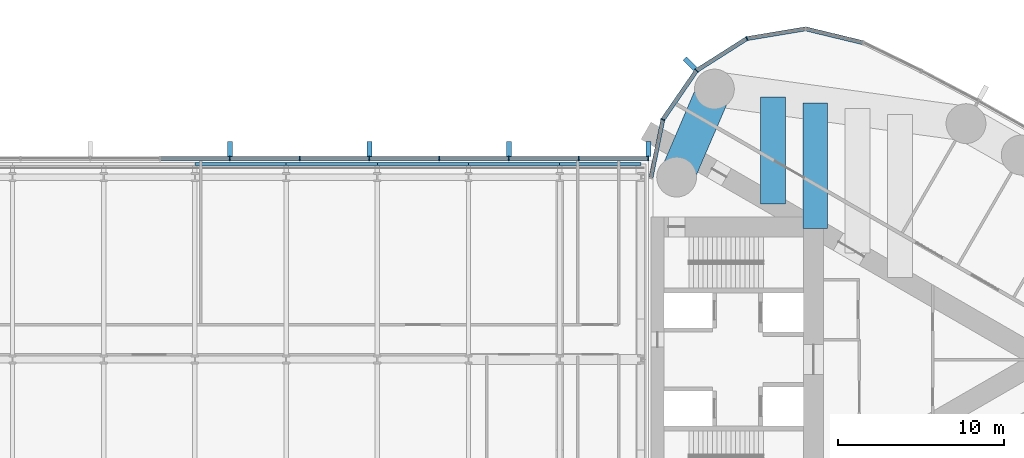
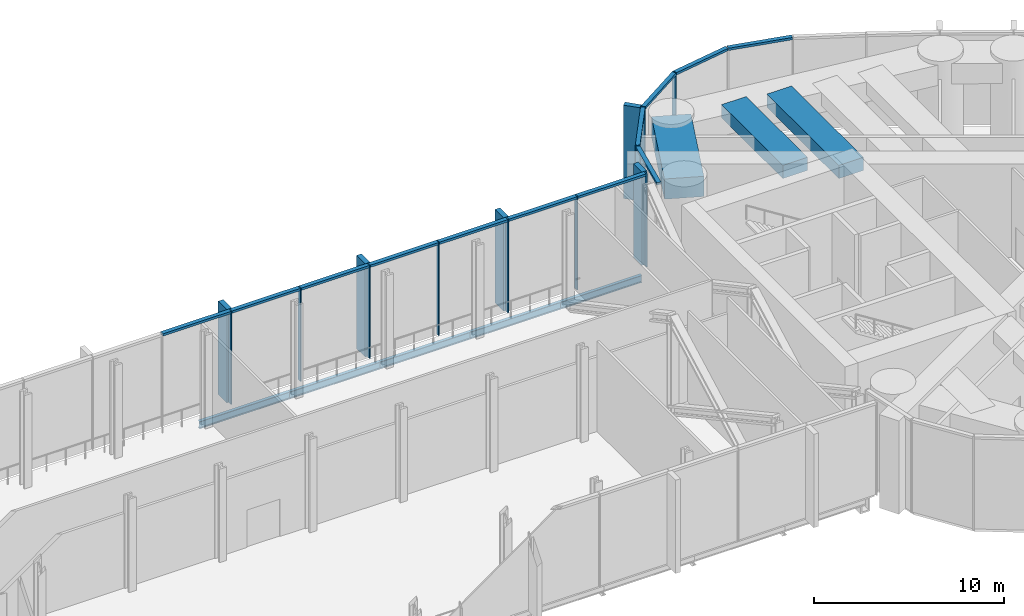
# One storey, part 11 of 21: 27 members, 8 beams, 2 elements without a shape of their own.
"""IFC4 building model written with IfcOpenShell, lengths in metres."""

from ifc_helpers import new_model, si_unit, direction, frame, origin, origin_2d, place, context, subcontext, project, spatial, rectangle, i_section, extrude, material, material_profile, profile_set, type_object, element, aggregate, save


model = new_model("IFC4")

# Units and contexts
model_context = context("Model", 3, precision=1e-05, world=origin(), true_north=direction((0.0, 1.0)))
body_context = subcontext(model_context, "Body", "Model", "MODEL_VIEW")
ifc_project = project(units=[si_unit("LENGTHUNIT", "METRE"), si_unit("AREAUNIT", "SQUARE_METRE"), si_unit("VOLUMEUNIT", "CUBIC_METRE"), si_unit("PLANEANGLEUNIT", "RADIAN"), si_unit("MASSUNIT", "GRAM", prefix="KILO")], contexts=[model_context])

# Site, building, storey
site_placement = place(None, origin())
site = spatial("IfcSite", under=ifc_project, at=site_placement, CompositionType="ELEMENT")
building_placement = place(site_placement, origin())
building = spatial("IfcBuilding", under=site, at=building_placement, Name="Lancet Gate Hotel", CompositionType="ELEMENT")
storey_placement = place(building_placement, frame((0.0, 0.0, 257.300048828125)))
storey = spatial("IfcBuildingStorey", under=building, at=storey_placement, Name="L68", CompositionType="ELEMENT", Elevation=257.300048828125)

# Curtain wall, members
ifc_material_1 = material(Name="Aluminium curtain wall", Category="aluminium")
curtain_wall_type = type_object("IfcCurtainWallType", Name="Sky deck full-height glazing", PredefinedType="USERDEFINED", material=ifc_material_1)
curtain_wall_1_placement = place(storey_placement, origin())
curtain_wall_1 = element("IfcCurtainWall", 1, at=curtain_wall_1_placement, inside=storey, type_object=curtain_wall_type, Name="T2 L68 curtain wall 1", ObjectType="UNITISED CURTAIN WALL", PredefinedType="USERDEFINED")
ifc_material_2 = material(Name="Aluminium mullion", Category="aluminium")
ifc_material_profile_1 = material_profile(ifc_material_2, rectangle(XDim=0.06494140625, YDim=0.25, at=origin_2d()), Name="MULLION 65x250")
ifc_profile_set_1 = profile_set([ifc_material_profile_1], Name="Aluminium mullion")
member_type_1 = type_object("IfcMemberType", Name="Aluminium mullion 65x250", PredefinedType="MULLION", material=ifc_profile_set_1)
member_1_placement = place(storey_placement, frame((33.283203125, 19.353515625, 0.0), z_axis=(0.0, 0.0, 1.0), x_axis=(-0.93394321776, -0.357421412343, 0.0)))
member_1 = element("IfcMember", 2, at=member_1_placement, type_object=member_type_1, Name="T2 L68 curtain wall 1 mullion 24", PredefinedType="MULLION", context=body_context, shape_type="SweptSolid", body=[
    extrude(rectangle(XDim=0.06494140625, YDim=0.25, at=origin_2d()), origin(), (0.0, 0.0, 1.0), 6.0),
])
member_2_placement = place(storey_placement, frame((30.25244140625, 17.42626953125, 0.0), z_axis=(0.0, 0.0, 1.0), x_axis=(-0.719809077627, -0.694172090886, 0.0)))
member_2 = element("IfcMember", 3, at=member_2_placement, type_object=member_type_1, Name="T2 L68 curtain wall 1 mullion 25", PredefinedType="MULLION", context=body_context, shape_type="SweptSolid", body=[
    extrude(rectangle(XDim=0.06494140625, YDim=0.25, at=origin_2d()), origin(), (0.0, 0.0, 1.0), 6.0),
])
member_3_placement = place(storey_placement, frame((28.216552734375, 14.467529296875, 0.0), z_axis=(0.0, 0.0, 1.0), x_axis=(-0.391042139098, -0.920372775265, 0.0)))
member_3 = element("IfcMember", 4, at=member_3_placement, type_object=member_type_1, Name="T2 L68 curtain wall 1 mullion 26", PredefinedType="MULLION", context=body_context, shape_type="SweptSolid", body=[
    extrude(rectangle(XDim=0.06494140625, YDim=0.25, at=origin_2d()), origin(), (0.0, 0.0, 1.0), 6.0),
])

curtain_wall_2_placement = place(storey_placement, origin())
curtain_wall_2 = element("IfcCurtainWall", 5, at=curtain_wall_2_placement, inside=storey, type_object=curtain_wall_type, Name="Bridge block L68 curtain wall N", ObjectType="UNITISED CURTAIN WALL", PredefinedType="USERDEFINED")
member_4_placement = place(storey_placement, frame((27.35009765625, 12.1201171875, 0.0), z_axis=(0.0, 0.0, 1.0), x_axis=(-1.0, 0.0, 0.0)))
member_4 = element("IfcMember", 6, at=member_4_placement, type_object=member_type_1, Name="Bridge block L68 curtain wall N mullion 1", PredefinedType="MULLION", context=body_context, shape_type="SweptSolid", body=[
    extrude(rectangle(XDim=0.06494140625, YDim=0.25, at=origin_2d()), origin(), (0.0, 0.0, 1.0), 6.0),
])
member_5_placement = place(storey_placement, frame((23.142333984375, 12.1201171875, 0.0), z_axis=(0.0, 0.0, 1.0), x_axis=(-1.0, 0.0, 0.0)))
member_5 = element("IfcMember", 7, at=member_5_placement, type_object=member_type_1, Name="Bridge block L68 curtain wall N mullion 2", PredefinedType="MULLION", context=body_context, shape_type="SweptSolid", body=[
    extrude(rectangle(XDim=0.06494140625, YDim=0.25, at=origin_2d()), origin(), (0.0, 0.0, 1.0), 6.0),
])
member_6_placement = place(storey_placement, frame((18.9345703125, 12.1201171875, 0.0), z_axis=(0.0, 0.0, 1.0), x_axis=(-1.0, 0.0, 0.0)))
member_6 = element("IfcMember", 8, at=member_6_placement, type_object=member_type_1, Name="Bridge block L68 curtain wall N mullion 3", PredefinedType="MULLION", context=body_context, shape_type="SweptSolid", body=[
    extrude(rectangle(XDim=0.06494140625, YDim=0.25, at=origin_2d()), origin(), (0.0, 0.0, 1.0), 6.0),
])
member_7_placement = place(storey_placement, frame((14.726806640625, 12.1201171875, 0.0), z_axis=(0.0, 0.0, 1.0), x_axis=(-1.0, 0.0, 0.0)))
member_7 = element("IfcMember", 9, at=member_7_placement, type_object=member_type_1, Name="Bridge block L68 curtain wall N mullion 4", PredefinedType="MULLION", context=body_context, shape_type="SweptSolid", body=[
    extrude(rectangle(XDim=0.06494140625, YDim=0.25, at=origin_2d()), origin(), (0.0, 0.0, 1.0), 6.0),
])
member_8_placement = place(storey_placement, frame((10.519287109375, 12.1201171875, 0.0), z_axis=(0.0, 0.0, 1.0), x_axis=(-1.0, 0.0, 0.0)))
member_8 = element("IfcMember", 10, at=member_8_placement, type_object=member_type_1, Name="Bridge block L68 curtain wall N mullion 5", PredefinedType="MULLION", context=body_context, shape_type="SweptSolid", body=[
    extrude(rectangle(XDim=0.06494140625, YDim=0.25, at=origin_2d()), origin(), (0.0, 0.0, 1.0), 6.0),
])
member_9_placement = place(storey_placement, frame((6.3115234375, 12.1201171875, 0.0), z_axis=(0.0, 0.0, 1.0), x_axis=(-1.0, 0.0, 0.0)))
member_9 = element("IfcMember", 11, at=member_9_placement, type_object=member_type_1, Name="Bridge block L68 curtain wall N mullion 6", PredefinedType="MULLION", context=body_context, shape_type="SweptSolid", body=[
    extrude(rectangle(XDim=0.06494140625, YDim=0.25, at=origin_2d()), origin(), (0.0, 0.0, 1.0), 6.0),
])
member_10_placement = place(storey_placement, frame((2.103759765625, 12.1201171875, 0.0), z_axis=(0.0, 0.0, 1.0), x_axis=(-1.0, 0.0, 0.0)))
member_10 = element("IfcMember", 12, at=member_10_placement, type_object=member_type_1, Name="Bridge block L68 curtain wall N mullion 7", PredefinedType="MULLION", context=body_context, shape_type="SweptSolid", body=[
    extrude(rectangle(XDim=0.06494140625, YDim=0.25, at=origin_2d()), origin(), (0.0, 0.0, 1.0), 6.0),
])

# Member
ifc_material_3 = material(Name="Aluminium transom", Category="aluminium")
ifc_material_profile_2 = material_profile(ifc_material_3, rectangle(XDim=0.25, YDim=0.14990234375, at=origin_2d()), Name="TRANSOM 250x150")
ifc_profile_set_2 = profile_set([ifc_material_profile_2], Name="Aluminium transom")
member_type_2 = type_object("IfcMemberType", Name="Aluminium transom 250x150", PredefinedType="USERDEFINED", material=ifc_profile_set_2)
member_11_placement = place(storey_placement, frame((40.28564453125, 19.10595703125, 5.925048828125), z_axis=(-0.972002653858, 0.234969872307, 0.0), x_axis=(-0.234969872307, -0.972002653858, 0.0)))
member_11 = element("IfcMember", 13, at=member_11_placement, type_object=member_type_2, Name="T2 L68 curtain wall 1 transom 22", ObjectType="TRANSOM", PredefinedType="USERDEFINED", context=body_context, shape_type="SweptSolid", body=[
    extrude(rectangle(XDim=0.25, YDim=0.14990234375, at=origin_2d()), origin(), (0.0, 0.0, 1.0), 3.5263671875),
])

member_12_placement = place(storey_placement, frame((36.794189453125, 19.936767578125, 5.925048828125), z_axis=(-0.986483584545, -0.163860115412, 0.0), x_axis=(0.163860115412, -0.986483584545, 0.0)))
member_12 = element("IfcMember", 14, at=member_12_placement, type_object=member_type_2, Name="T2 L68 curtain wall 1 transom 23", ObjectType="TRANSOM", PredefinedType="USERDEFINED", context=body_context, shape_type="SweptSolid", body=[
    extrude(rectangle(XDim=0.25, YDim=0.14990234375, at=origin_2d()), origin(), (0.0, 0.0, 1.0), 3.526611328125),
])

member_13_placement = place(storey_placement, frame((33.255859375, 19.336181640625, 5.925048828125), z_axis=(-0.84385811281, -0.536566384938, 0.0), x_axis=(0.536566384938, -0.84385811281, 0.0)))
member_13 = element("IfcMember", 15, at=member_13_placement, type_object=member_type_2, Name="T2 L68 curtain wall 1 transom 24", ObjectType="TRANSOM", PredefinedType="USERDEFINED", context=body_context, shape_type="SweptSolid", body=[
    extrude(rectangle(XDim=0.25, YDim=0.14990234375, at=origin_2d()), origin(), (0.0, 0.0, 1.0), 3.52685546875),
])

member_14_placement = place(storey_placement, frame((30.234130859375, 17.399658203125, 5.925048828125), z_axis=(-0.566813768052, -0.82384595183, 0.0), x_axis=(0.82384595183, -0.566813768052, 0.0)))
member_14 = element("IfcMember", 16, at=member_14_placement, type_object=member_type_2, Name="T2 L68 curtain wall 1 transom 25", ObjectType="TRANSOM", PredefinedType="USERDEFINED", context=body_context, shape_type="SweptSolid", body=[
    extrude(rectangle(XDim=0.25, YDim=0.14990234375, at=origin_2d()), origin(), (0.0, 0.0, 1.0), 3.52685546875),
])

member_15_placement = place(storey_placement, frame((28.210205078125, 14.435546875, 5.925048828125), z_axis=(-0.19952323725, -0.979893095086, 0.0), x_axis=(0.979893095086, -0.19952323725, 0.0)))
member_15 = element("IfcMember", 17, at=member_15_placement, type_object=member_type_2, Name="T2 L68 curtain wall 1 transom 26", ObjectType="TRANSOM", PredefinedType="USERDEFINED", context=body_context, shape_type="SweptSolid", body=[
    extrude(rectangle(XDim=0.25, YDim=0.14990234375, at=origin_2d()), origin(), (0.0, 0.0, 1.0), 3.5263671875),
])

member_16_placement = place(storey_placement, frame((27.3173828125, 12.1201171875, 5.925048828125), z_axis=(-1.0, 0.0, 0.0), x_axis=(0.0, -1.0, 0.0)))
member_16 = element("IfcMember", 18, at=member_16_placement, type_object=member_type_2, Name="Bridge block L68 curtain wall N transom 1", ObjectType="TRANSOM", PredefinedType="USERDEFINED", context=body_context, shape_type="SweptSolid", body=[
    extrude(rectangle(XDim=0.25, YDim=0.14990234375, at=origin_2d()), origin(), (0.0, 0.0, 1.0), 4.142578125),
])

member_17_placement = place(storey_placement, frame((23.10986328125, 12.1201171875, 5.925048828125), z_axis=(-1.0, 0.0, 0.0), x_axis=(0.0, -1.0, 0.0)))
member_17 = element("IfcMember", 19, at=member_17_placement, type_object=member_type_2, Name="Bridge block L68 curtain wall N transom 2", ObjectType="TRANSOM", PredefinedType="USERDEFINED", context=body_context, shape_type="SweptSolid", body=[
    extrude(rectangle(XDim=0.25, YDim=0.14990234375, at=origin_2d()), origin(), (0.0, 0.0, 1.0), 4.142822265625),
])

member_18_placement = place(storey_placement, frame((18.902099609375, 12.1201171875, 5.925048828125), z_axis=(-1.0, 0.0, 0.0), x_axis=(0.0, -1.0, 0.0)))
member_18 = element("IfcMember", 20, at=member_18_placement, type_object=member_type_2, Name="Bridge block L68 curtain wall N transom 3", ObjectType="TRANSOM", PredefinedType="USERDEFINED", context=body_context, shape_type="SweptSolid", body=[
    extrude(rectangle(XDim=0.25, YDim=0.14990234375, at=origin_2d()), origin(), (0.0, 0.0, 1.0), 4.142578125),
])

member_19_placement = place(storey_placement, frame((14.6943359375, 12.1201171875, 5.925048828125), z_axis=(-1.0, 0.0, 0.0), x_axis=(0.0, -1.0, 0.0)))
member_19 = element("IfcMember", 21, at=member_19_placement, type_object=member_type_2, Name="Bridge block L68 curtain wall N transom 4", ObjectType="TRANSOM", PredefinedType="USERDEFINED", context=body_context, shape_type="SweptSolid", body=[
    extrude(rectangle(XDim=0.25, YDim=0.14990234375, at=origin_2d()), origin(), (0.0, 0.0, 1.0), 4.142578125),
])

member_20_placement = place(storey_placement, frame((10.48681640625, 12.1201171875, 5.925048828125), z_axis=(-1.0, 0.0, 0.0), x_axis=(0.0, -1.0, 0.0)))
member_20 = element("IfcMember", 22, at=member_20_placement, type_object=member_type_2, Name="Bridge block L68 curtain wall N transom 5", ObjectType="TRANSOM", PredefinedType="USERDEFINED", context=body_context, shape_type="SweptSolid", body=[
    extrude(rectangle(XDim=0.25, YDim=0.14990234375, at=origin_2d()), origin(), (0.0, 0.0, 1.0), 4.142822265625),
])

member_21_placement = place(storey_placement, frame((6.279052734375, 12.1201171875, 5.925048828125), z_axis=(-1.0, 0.0, 0.0), x_axis=(0.0, -1.0, 0.0)))
member_21 = element("IfcMember", 23, at=member_21_placement, type_object=member_type_2, Name="Bridge block L68 curtain wall N transom 6", ObjectType="TRANSOM", PredefinedType="USERDEFINED", context=body_context, shape_type="SweptSolid", body=[
    extrude(rectangle(XDim=0.25, YDim=0.14990234375, at=origin_2d()), origin(), (0.0, 0.0, 1.0), 4.142822265625),
])

member_22_placement = place(storey_placement, frame((2.0712890625, 12.1201171875, 5.925048828125), z_axis=(-1.0, 0.0, 0.0), x_axis=(0.0, -1.0, 0.0)))
member_22 = element("IfcMember", 24, at=member_22_placement, type_object=member_type_2, Name="Bridge block L68 curtain wall N transom 7", ObjectType="TRANSOM", PredefinedType="USERDEFINED", context=body_context, shape_type="SweptSolid", body=[
    extrude(rectangle(XDim=0.25, YDim=0.14990234375, at=origin_2d()), origin(), (0.0, 0.0, 1.0), 4.142578125),
])

# Beams
ifc_material_4 = material(Name="Steel S355", Category="steel")
ifc_material_profile_3 = material_profile(ifc_material_4, i_section(OverallWidth=0.19140625, OverallDepth=0.4599609375, WebThickness=0.010009765625, FlangeThickness=0.01611328125, FilletRadius=0.01025390625, at=origin_2d()), Name="UKB 457x191x82")
ifc_profile_set_3 = profile_set([ifc_material_profile_3], Name="Steel S355")
beam_type_1 = type_object("IfcBeamType", Name="Block edge beam UKB 457x191x82", PredefinedType="SPANDREL", material=ifc_profile_set_3)
for number, where, z_axis, x_axis, name in (
    (25, (0.0, 11.800048828125, -0.429931640625), (1.0, 0.0, 0.0), (0.0, 1.0, 0.0), "Block edge beam N 5-6 L68"),
    (26, (5.5, 11.800048828125, -0.429931640625), (1.0, 0.0, 0.0), (0.0, 1.0, 0.0), "Block edge beam N 6-7 L68"),
    (27, (11.0, 11.800048828125, -0.429931640625), (1.0, 0.0, 0.0), (0.0, 1.0, 0.0), "Block edge beam N 7-8 L68"),
    (28, (16.5, 11.800048828125, -0.429931640625), (1.0, 0.0, 0.0), (0.0, 1.0, 0.0), "Block edge beam N 8-9 L68"),
):
    element("IfcBeam", number, at=place(storey_placement, frame(where, z_axis=z_axis, x_axis=x_axis)), inside=storey, type_object=beam_type_1, Name=name, PredefinedType="SPANDREL", context=body_context, shape_type="SweptSolid", body=[
        extrude(i_section(OverallWidth=0.19140625, OverallDepth=0.4599609375, WebThickness=0.010009765625, FlangeThickness=0.01611328125, FilletRadius=0.01025390625, at=origin_2d()), origin(), (0.0, 0.0, 1.0), 5.5),
    ])
beam_1_placement = place(storey_placement, frame((22.0, 11.800048828125, -0.429931640625), z_axis=(1.0, 0.0, 0.0), x_axis=(0.0, 1.0, 0.0)))
element("IfcBeam", 29, at=beam_1_placement, inside=storey, type_object=beam_type_1, Name="Block edge beam N 9-10 L68", PredefinedType="SPANDREL", context=body_context, shape_type="SweptSolid", body=[
    extrude(i_section(OverallWidth=0.19140625, OverallDepth=0.4599609375, WebThickness=0.010009765625, FlangeThickness=0.01611328125, FilletRadius=0.01025390625, at=origin_2d()), origin(), (0.0, 0.0, 1.0), 4.89990234375),
])
ifc_material_5 = material(Name="Concrete C50/60", Category="concrete")
ifc_material_profile_4 = material_profile(ifc_material_5, rectangle(XDim=2.10009765625, YDim=1.300048828125, at=origin_2d()), Name="RC 2100x1300")
ifc_profile_set_4 = profile_set([ifc_material_profile_4], Name="Concrete C50/60")
beam_type_2 = type_object("IfcBeamType", Name="Edge beam RC 2100x1300", PredefinedType="SPANDREL", material=ifc_profile_set_4)
beam_2_placement = place(storey_placement, frame((29.050048828125, 11.0, 5.099853515625), z_axis=(0.394250694824, 0.91900293233, 0.0), x_axis=(-0.91900293233, 0.394250694824, 0.0)))
element("IfcBeam", 30, at=beam_2_placement, inside=storey, type_object=beam_type_2, Name="T2 edge beam EB1 L68", PredefinedType="SPANDREL", context=body_context, shape_type="SweptSolid", body=[
    extrude(rectangle(XDim=2.10009765625, YDim=1.300048828125, at=origin_2d()), origin(), (0.0, 0.0, 1.0), 5.77880859375),
])

# Member
ifc_material_6 = material(Name="Precast concrete C50/60", Category="concrete")
ifc_material_profile_5 = material_profile(ifc_material_6, rectangle(XDim=0.300048828125, YDim=0.89990234375, at=origin_2d()), Name="FIN 300x900")
ifc_profile_set_5 = profile_set([ifc_material_profile_5], Name="Precast concrete C50/60")
member_type_3 = type_object("IfcMemberType", Name="Exposed concrete fin 300x900", PredefinedType="USERDEFINED", material=ifc_profile_set_5)
member_23_placement = place(storey_placement, frame((29.853271484375, 17.84033203125, 0.0), z_axis=(0.0, 0.0, 1.0), x_axis=(-0.719809077627, -0.694172090886, 0.0)))
member_23 = element("IfcMember", 31, at=member_23_placement, type_object=member_type_3, Name="T2 L68 curtain wall 1 fin 25", ObjectType="FIN", PredefinedType="USERDEFINED", context=body_context, shape_type="SweptSolid", body=[
    extrude(rectangle(XDim=0.300048828125, YDim=0.89990234375, at=origin_2d()), origin(), (0.0, 0.0, 1.0), 6.0),
])

aggregate(curtain_wall_1, [member_1, member_2, member_23, member_3, member_11, member_12, member_13, member_14, member_15])

member_24_placement = place(storey_placement, frame((27.35009765625, 12.695068359375, 0.0), z_axis=(0.0, 0.0, 1.0), x_axis=(-1.0, 0.0, 0.0)))
member_24 = element("IfcMember", 32, at=member_24_placement, type_object=member_type_3, Name="Bridge block L68 curtain wall N fin 1", ObjectType="FIN", PredefinedType="USERDEFINED", context=body_context, shape_type="SweptSolid", body=[
    extrude(rectangle(XDim=0.300048828125, YDim=0.89990234375, at=origin_2d()), origin(), (0.0, 0.0, 1.0), 6.0),
])

member_25_placement = place(storey_placement, frame((18.9345703125, 12.695068359375, 0.0), z_axis=(0.0, 0.0, 1.0), x_axis=(-1.0, 0.0, 0.0)))
member_25 = element("IfcMember", 33, at=member_25_placement, type_object=member_type_3, Name="Bridge block L68 curtain wall N fin 3", ObjectType="FIN", PredefinedType="USERDEFINED", context=body_context, shape_type="SweptSolid", body=[
    extrude(rectangle(XDim=0.300048828125, YDim=0.89990234375, at=origin_2d()), origin(), (0.0, 0.0, 1.0), 6.0),
])

member_26_placement = place(storey_placement, frame((10.519287109375, 12.695068359375, 0.0), z_axis=(0.0, 0.0, 1.0), x_axis=(-1.0, 0.0, 0.0)))
member_26 = element("IfcMember", 34, at=member_26_placement, type_object=member_type_3, Name="Bridge block L68 curtain wall N fin 5", ObjectType="FIN", PredefinedType="USERDEFINED", context=body_context, shape_type="SweptSolid", body=[
    extrude(rectangle(XDim=0.300048828125, YDim=0.89990234375, at=origin_2d()), origin(), (0.0, 0.0, 1.0), 6.0),
])

member_27_placement = place(storey_placement, frame((2.103759765625, 12.695068359375, 0.0), z_axis=(0.0, 0.0, 1.0), x_axis=(-1.0, 0.0, 0.0)))
member_27 = element("IfcMember", 35, at=member_27_placement, type_object=member_type_3, Name="Bridge block L68 curtain wall N fin 7", ObjectType="FIN", PredefinedType="USERDEFINED", context=body_context, shape_type="SweptSolid", body=[
    extrude(rectangle(XDim=0.300048828125, YDim=0.89990234375, at=origin_2d()), origin(), (0.0, 0.0, 1.0), 6.0),
])

aggregate(curtain_wall_2, [member_4, member_24, member_5, member_6, member_25, member_7, member_8, member_26, member_9, member_10, member_27, member_16, member_17, member_18, member_19, member_20, member_21, member_22])

# Beams
ifc_material_7 = material(Name="Concrete C50/60", Category="concrete")
ifc_material_profile_6 = material_profile(ifc_material_7, rectangle(XDim=1.5, YDim=0.85009765625, at=origin_2d()), Name="RC 1500x850")
ifc_profile_set_6 = profile_set([ifc_material_profile_6], Name="Concrete C50/60")
beam_type_3 = type_object("IfcBeamType", Name="Floor beam RC 1500x850", PredefinedType="BEAM", material=ifc_profile_set_6)
beam_3_placement = place(storey_placement, frame((34.859619140625, 9.377685546875, 5.324951171875), z_axis=(0.0, 1.0, 0.0), x_axis=(-1.0, 0.0, 0.0)))
element("IfcBeam", 36, at=beam_3_placement, inside=storey, type_object=beam_type_3, Name="T2 floor beam F02N L68", PredefinedType="BEAM", context=body_context, shape_type="SweptSolid", body=[
    extrude(rectangle(XDim=1.5, YDim=0.85009765625, at=origin_2d()), origin(), (0.0, 0.0, 1.0), 6.44775390625),
])
beam_4_placement = place(storey_placement, frame((37.412841796875, 7.903564453125, 5.324951171875), z_axis=(0.0, 1.0, 0.0), x_axis=(-1.0, 0.0, 0.0)))
element("IfcBeam", 37, at=beam_4_placement, inside=storey, type_object=beam_type_3, Name="T2 floor beam F04N L68", PredefinedType="BEAM", context=body_context, shape_type="SweptSolid", body=[
    extrude(rectangle(XDim=1.5, YDim=0.85009765625, at=origin_2d()), origin(), (0.0, 0.0, 1.0), 7.57080078125),
])

save(model, "model.ifc")
